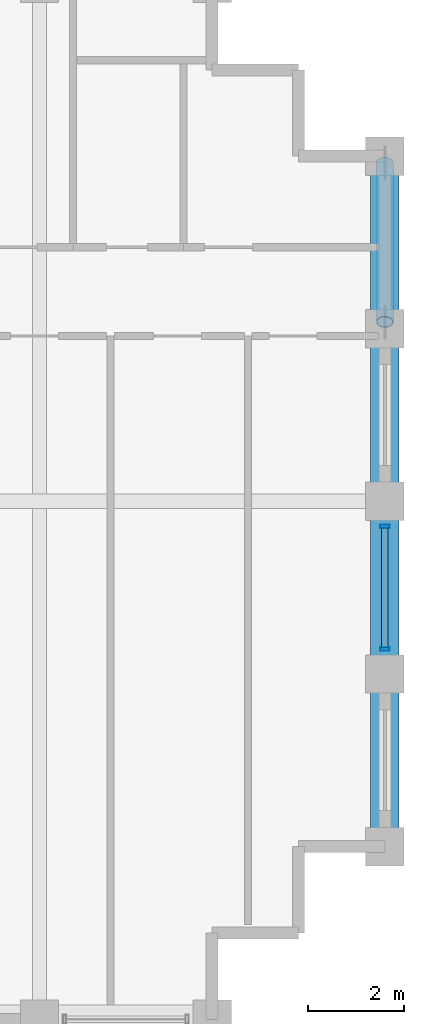
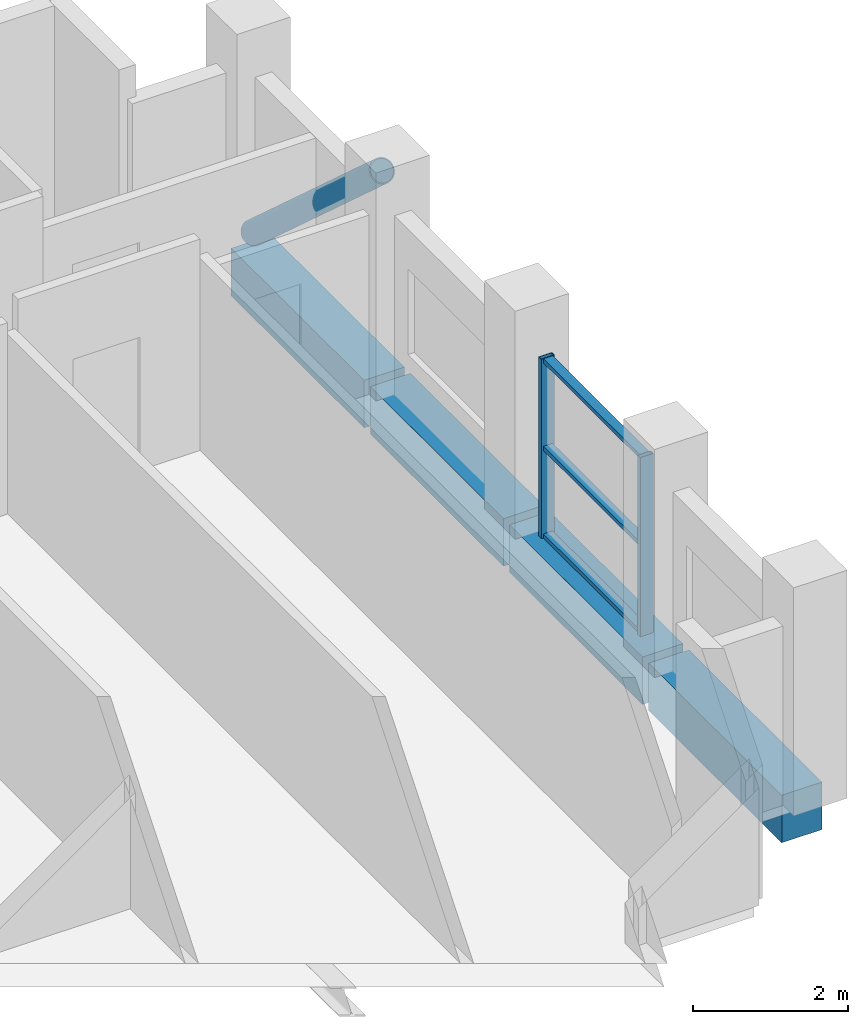
# One storey, part 11 of 17: 6 members, 4 beams, 1 element without a shape of its own.
"""IFC4 building model written with IfcOpenShell, lengths in metres."""

from ifc_helpers import new_model, si_unit, direction, frame, origin, origin_2d, place, context, subcontext, project, spatial, rectangle, hollow_rectangle, hollow_circle, extrude, material, layer, layer_set, material_profile, profile_set, type_object, element, aggregate, save


model = new_model("IFC4")

# Units and contexts
model_context = context("Model", 3, precision=1e-05, world=origin(), true_north=direction((0.0, 1.0)))
body_context = subcontext(model_context, "Body", "Model", "MODEL_VIEW")
ifc_project = project(units=[si_unit("LENGTHUNIT", "METRE"), si_unit("AREAUNIT", "SQUARE_METRE"), si_unit("VOLUMEUNIT", "CUBIC_METRE"), si_unit("PLANEANGLEUNIT", "RADIAN"), si_unit("MASSUNIT", "GRAM", prefix="KILO")], contexts=[model_context])

# Site, building, storey
site_placement = place(None, origin())
site = spatial("IfcSite", under=ifc_project, at=site_placement, CompositionType="ELEMENT")
building_placement = place(site_placement, origin())
building = spatial("IfcBuilding", under=site, at=building_placement, Name="Solnavia Interchange Tower", CompositionType="ELEMENT")
storey_placement = place(building_placement, frame((0.0, 0.0, 291.800048828125)))
storey = spatial("IfcBuildingStorey", under=building, at=storey_placement, Name="L74", CompositionType="ELEMENT", Elevation=291.800048828125)

# Beams
ifc_material_1 = material(Name="Concrete C50/60", Category="concrete")
ifc_material_profile_1 = material_profile(ifc_material_1, rectangle(XDim=0.60009765625, YDim=0.75, at=origin_2d()), Name="RC 600x750")
ifc_profile_set_1 = profile_set([ifc_material_profile_1], Name="Concrete C50/60")
beam_type = type_object("IfcBeamType", Name="Beam-Spandrel-RC600x750", PredefinedType="SPANDREL", material=ifc_profile_set_1)
beam_1_placement = place(storey_placement, frame((43.199951171875, 7.280029296875, -0.375), z_axis=(0.0, 1.0, 0.0), x_axis=(-1.0, 0.0, 0.0)))
element("IfcBeam", 1, at=beam_1_placement, inside=storey, type_object=beam_type, Name="SPB-L74-13 Framed-tube perimeter spandrel beam", PredefinedType="SPANDREL", context=body_context, shape_type="SweptSolid", body=[
    extrude(rectangle(XDim=0.60009765625, YDim=0.75, at=origin_2d()), origin(), (0.0, 0.0, 1.0), 3.43994140625),
])
beam_2_placement = place(storey_placement, frame((43.199951171875, 10.8798828125, -0.375), z_axis=(0.0, 1.0, 0.0), x_axis=(-1.0, 0.0, 0.0)))
element("IfcBeam", 2, at=beam_2_placement, inside=storey, type_object=beam_type, Name="SPB-L74-14 Framed-tube perimeter spandrel beam", PredefinedType="SPANDREL", context=body_context, shape_type="SweptSolid", body=[
    extrude(rectangle(XDim=0.60009765625, YDim=0.75, at=origin_2d()), origin(), (0.0, 0.0, 1.0), 3.440185546875),
])
for number, where, z_axis, x_axis, name in (
    (3, (43.199951171875, 14.47998046875, -0.375), (0.0, 1.0, 0.0), (-1.0, 0.0, 0.0), "SPB-L74-15 Framed-tube perimeter spandrel beam"),
    (4, (43.199951171875, 18.080078125, -0.375), (0.0, 1.0, 0.0), (-1.0, 0.0, 0.0), "SPB-L74-16 Framed-tube perimeter spandrel beam"),
):
    element("IfcBeam", number, at=place(storey_placement, frame(where, z_axis=z_axis, x_axis=x_axis)), inside=storey, type_object=beam_type, Name=name, PredefinedType="SPANDREL", context=body_context, shape_type="SweptSolid", body=[
        extrude(rectangle(XDim=0.60009765625, YDim=0.75, at=origin_2d()), origin(), (0.0, 0.0, 1.0), 3.43994140625),
    ])

# Member
ifc_material_2 = material(Name="Steel S460", Category="steel")
ifc_material_profile_2 = material_profile(ifc_material_2, hollow_circle(Radius=0.177734375, WallThickness=0.01611328125, at=origin_2d()), Name="CHS 355.6x16")
ifc_profile_set_2 = profile_set([ifc_material_profile_2], Name="Steel S460")
member_type_1 = type_object("IfcMemberType", Name="Brace-Perim-CHS355", PredefinedType="BRACE", material=ifc_profile_set_2)
member_1_placement = place(storey_placement, frame((43.199951171875, 21.4599609375, 0.179931640625), z_axis=(0.0, -0.74307946371, 0.669203190827), x_axis=(1.0, 0.0, 0.0)))
element("IfcMember", 5, at=member_1_placement, inside=storey, type_object=member_type_1, Name="BRC-L74-02 Perimeter tube diagonal brace", PredefinedType="BRACE", context=body_context, shape_type="SweptSolid", body=[
    extrude(hollow_circle(Radius=0.177734375, WallThickness=0.01611328125, at=origin_2d()), origin(), (0.0, 0.0, 1.0), 4.468017578125),
])

# Curtain wall, members
ifc_material_3 = material(Name="Aluminium Alloy 6063-T6", Category="aluminium")
ifc_layer = layer(ifc_material_3, 0.219970703125)
ifc_layer_set = layer_set([ifc_layer], Name="Aluminium Alloy 6063-T6")
curtain_wall_type = type_object("IfcCurtainWallType", Name="CurtainWall-Tower-CTW3", PredefinedType="NOTDEFINED", material=ifc_layer_set)
curtain_wall_placement = place(storey_placement, origin())
curtain_wall = element("IfcCurtainWall", 6, at=curtain_wall_placement, inside=storey, type_object=curtain_wall_type, Name="CTW-L74-S10 CTW-3 curtain wall", PredefinedType="NOTDEFINED")
ifc_material_profile_3 = material_profile(ifc_material_3, hollow_rectangle(XDim=0.070068359375, YDim=0.199951171875, WallThickness=0.0048828125, at=origin_2d()), Name="ALU 200x70x5")
ifc_profile_set_3 = profile_set([ifc_material_profile_3], Name="Aluminium Alloy 6063-T6")
member_type_2 = type_object("IfcMemberType", Name="CW-Mullion-CWM-3", PredefinedType="MULLION", material=ifc_profile_set_3)
member_2_placement = place(storey_placement, frame((43.199951171875, 11.320068359375, 0.0), z_axis=(0.0, 0.0, 1.0), x_axis=(0.0, 1.0, 0.0)))
member_2 = element("IfcMember", 7, at=member_2_placement, type_object=member_type_2, Name="CTW-3 mullion 1", PredefinedType="MULLION", context=body_context, shape_type="SweptSolid", body=[
    extrude(hollow_rectangle(XDim=0.070068359375, YDim=0.199951171875, WallThickness=0.0048828125, at=origin_2d()), origin(), (0.0, 0.0, 1.0), 2.829833984375),
])
member_3_placement = place(storey_placement, frame((43.199951171875, 13.8798828125, 0.0), z_axis=(0.0, 0.0, 1.0), x_axis=(0.0, 1.0, 0.0)))
member_3 = element("IfcMember", 8, at=member_3_placement, type_object=member_type_2, Name="CTW-3 mullion 2", PredefinedType="MULLION", context=body_context, shape_type="SweptSolid", body=[
    extrude(hollow_rectangle(XDim=0.070068359375, YDim=0.199951171875, WallThickness=0.0048828125, at=origin_2d()), origin(), (0.0, 0.0, 1.0), 2.829833984375),
])
ifc_material_profile_4 = material_profile(ifc_material_3, hollow_rectangle(XDim=0.06494140625, YDim=0.139892578125, WallThickness=0.00390625, at=origin_2d()), Name="ALU 140x65x4")
ifc_profile_set_4 = profile_set([ifc_material_profile_4], Name="Aluminium Alloy 6063-T6")
member_type_3 = type_object("IfcMemberType", Name="CW-Transom-CWT-3", PredefinedType="USERDEFINED", material=ifc_profile_set_4)
member_4_placement = place(storey_placement, frame((43.199951171875, 11.35498046875, 0.032470703125), z_axis=(0.0, 1.0, 0.0), x_axis=(0.0, 0.0, 1.0)))
member_4 = element("IfcMember", 9, at=member_4_placement, type_object=member_type_3, Name="CTW-3 transom 1.1", ObjectType="TRANSOM", PredefinedType="USERDEFINED", context=body_context, shape_type="SweptSolid", body=[
    extrude(hollow_rectangle(XDim=0.06494140625, YDim=0.139892578125, WallThickness=0.00390625, at=origin_2d()), origin(), (0.0, 0.0, 1.0), 2.489990234375),
])
member_5_placement = place(storey_placement, frame((43.199951171875, 11.35498046875, 1.4150390625), z_axis=(0.0, 1.0, 0.0), x_axis=(0.0, 0.0, 1.0)))
member_5 = element("IfcMember", 10, at=member_5_placement, type_object=member_type_3, Name="CTW-3 transom 1.2", ObjectType="TRANSOM", PredefinedType="USERDEFINED", context=body_context, shape_type="SweptSolid", body=[
    extrude(hollow_rectangle(XDim=0.06494140625, YDim=0.139892578125, WallThickness=0.00390625, at=origin_2d()), origin(), (0.0, 0.0, 1.0), 2.489990234375),
])
member_6_placement = place(storey_placement, frame((43.199951171875, 11.35498046875, 2.79736328125), z_axis=(0.0, 1.0, 0.0), x_axis=(0.0, 0.0, 1.0)))
member_6 = element("IfcMember", 11, at=member_6_placement, type_object=member_type_3, Name="CTW-3 transom 1.3", ObjectType="TRANSOM", PredefinedType="USERDEFINED", context=body_context, shape_type="SweptSolid", body=[
    extrude(hollow_rectangle(XDim=0.06494140625, YDim=0.139892578125, WallThickness=0.00390625, at=origin_2d()), origin(), (0.0, 0.0, 1.0), 2.489990234375),
])
aggregate(curtain_wall, [member_2, member_3, member_4, member_5, member_6])

save(model, "model.ifc")
